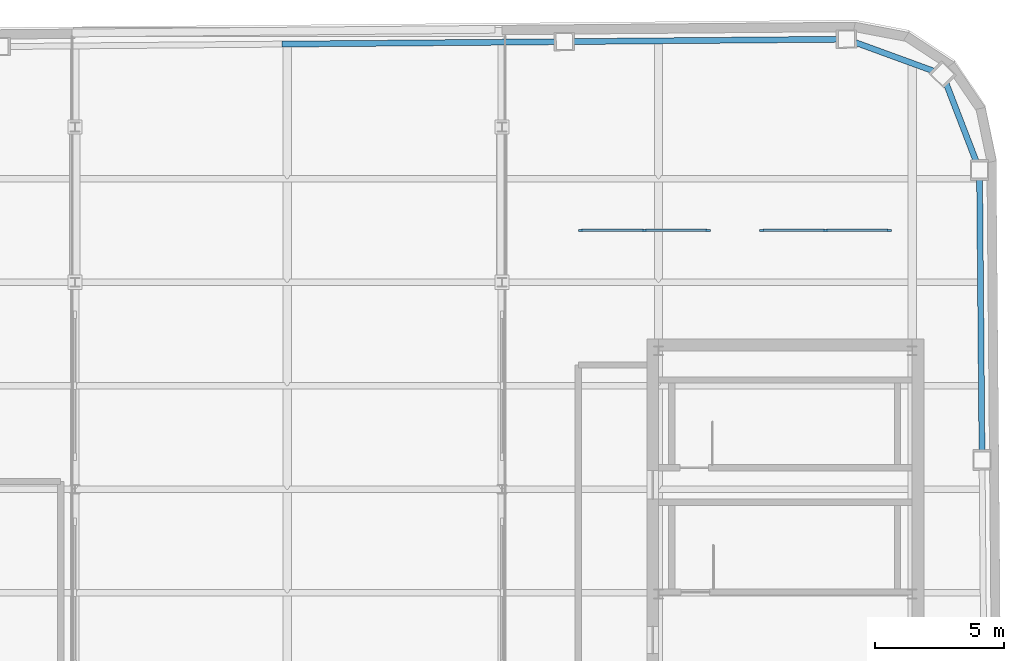
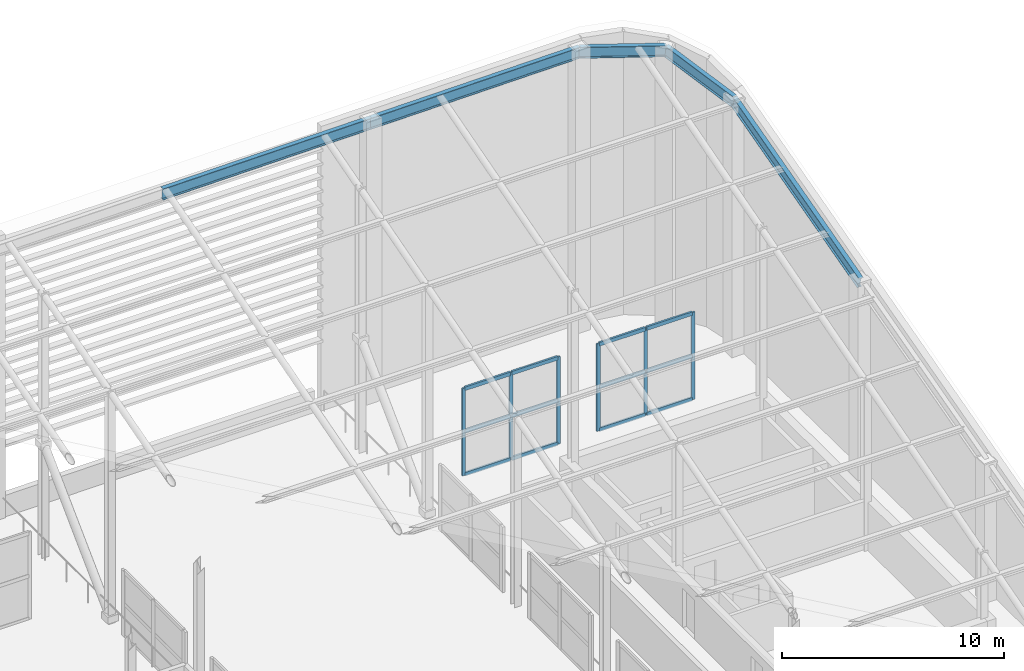
# One storey, part 13 of 17: 18 members, 5 beams, 2 elements without a shape of their own.
"""IFC4 building model written with IfcOpenShell, lengths in metres."""

from ifc_helpers import new_model, si_unit, direction, frame, origin, origin_2d, place, context, subcontext, project, spatial, rectangle, i_section, extrude, material, material_profile, profile_set, type_object, element, aggregate, save


model = new_model("IFC4")

# Units and contexts
model_context = context("Model", 3, precision=1e-05, world=origin(), true_north=direction((0.0, 1.0)))
body_context = subcontext(model_context, "Body", "Model", "MODEL_VIEW")
ifc_project = project(units=[si_unit("LENGTHUNIT", "METRE"), si_unit("AREAUNIT", "SQUARE_METRE"), si_unit("VOLUMEUNIT", "CUBIC_METRE"), si_unit("PLANEANGLEUNIT", "RADIAN"), si_unit("MASSUNIT", "GRAM", prefix="KILO")], contexts=[model_context])

# Site, building, storey
site_placement = place(None, origin())
site = spatial("IfcSite", under=ifc_project, at=site_placement, CompositionType="ELEMENT")
building_placement = place(site_placement, origin())
building = spatial("IfcBuilding", under=site, at=building_placement, Name="Kolvaren Arena Tower", CompositionType="ELEMENT")
storey_placement = place(building_placement, frame((0.0, 0.0, 322.0)))
storey = spatial("IfcBuildingStorey", under=building, at=storey_placement, Name="Roof Crown", CompositionType="ELEMENT", Elevation=322.0)

# Curtain wall, members
ifc_material_1 = material(Name="Anodised aluminium unitised curtain wall", Category="aluminium")
curtain_wall_type = type_object("IfcCurtainWallType", Name="CW-SYS-07", PredefinedType="USERDEFINED", material=ifc_material_1)
curtain_wall_1_placement = place(storey_placement, origin())
curtain_wall_1 = element("IfcCurtainWall", 1, at=curtain_wall_1_placement, inside=storey, type_object=curtain_wall_type, Name="Crown Clerestory Curtain Wall (Roof Crown)", ObjectType="UNITISED CURTAIN WALL", PredefinedType="USERDEFINED")
ifc_material_2 = material(Name="Anodised aluminium 6063-T6", Category="aluminium")
ifc_material_profile_1 = material_profile(ifc_material_2, rectangle(XDim=0.080078125, YDim=0.179931640625, at=origin_2d()), Name="ALU-80x180")
ifc_profile_set_1 = profile_set([ifc_material_profile_1], Name="Anodised aluminium 6063-T6")
member_type_1 = type_object("IfcMemberType", Name="CWM-STD", PredefinedType="MULLION", material=ifc_profile_set_1)
member_1_placement = place(storey_placement, frame((47.5400390625, 44.0, 0.0), z_axis=(0.0, 0.0, 1.0), x_axis=(0.0, 1.0, 0.0)))
member_1 = element("IfcMember", 2, at=member_1_placement, type_object=member_type_1, Name="CW7 mullion 1", PredefinedType="MULLION", context=body_context, shape_type="SweptSolid", body=[
    extrude(rectangle(XDim=0.080078125, YDim=0.179931640625, at=origin_2d()), origin(), (0.0, 0.0, 1.0), 4.800048828125),
])
member_2_placement = place(storey_placement, frame((50.0, 44.0, 0.0), z_axis=(0.0, 0.0, 1.0), x_axis=(0.0, 1.0, 0.0)))
member_2 = element("IfcMember", 3, at=member_2_placement, type_object=member_type_1, Name="CW7 mullion 2", PredefinedType="MULLION", context=body_context, shape_type="SweptSolid", body=[
    extrude(rectangle(XDim=0.080078125, YDim=0.179931640625, at=origin_2d()), origin(), (0.0, 0.0, 1.0), 4.800048828125),
])
member_3_placement = place(storey_placement, frame((52.4599609375, 44.0, 0.0), z_axis=(0.0, 0.0, 1.0), x_axis=(0.0, 1.0, 0.0)))
member_3 = element("IfcMember", 4, at=member_3_placement, type_object=member_type_1, Name="CW7 mullion 3", PredefinedType="MULLION", context=body_context, shape_type="SweptSolid", body=[
    extrude(rectangle(XDim=0.080078125, YDim=0.179931640625, at=origin_2d()), origin(), (0.0, 0.0, 1.0), 4.800048828125),
])

curtain_wall_2_placement = place(storey_placement, origin())
curtain_wall_2 = element("IfcCurtainWall", 5, at=curtain_wall_2_placement, inside=storey, type_object=curtain_wall_type, Name="Crown Clerestory Curtain Wall (Roof Crown)", ObjectType="UNITISED CURTAIN WALL", PredefinedType="USERDEFINED")
member_4_placement = place(storey_placement, frame((54.5400390625, 44.0, 0.0), z_axis=(0.0, 0.0, 1.0), x_axis=(0.0, 1.0, 0.0)))
member_4 = element("IfcMember", 6, at=member_4_placement, type_object=member_type_1, Name="CW7 mullion 1", PredefinedType="MULLION", context=body_context, shape_type="SweptSolid", body=[
    extrude(rectangle(XDim=0.080078125, YDim=0.179931640625, at=origin_2d()), origin(), (0.0, 0.0, 1.0), 4.800048828125),
])
member_5_placement = place(storey_placement, frame((57.0, 44.0, 0.0), z_axis=(0.0, 0.0, 1.0), x_axis=(0.0, 1.0, 0.0)))
member_5 = element("IfcMember", 7, at=member_5_placement, type_object=member_type_1, Name="CW7 mullion 2", PredefinedType="MULLION", context=body_context, shape_type="SweptSolid", body=[
    extrude(rectangle(XDim=0.080078125, YDim=0.179931640625, at=origin_2d()), origin(), (0.0, 0.0, 1.0), 4.800048828125),
])
member_6_placement = place(storey_placement, frame((59.4599609375, 44.0, 0.0), z_axis=(0.0, 0.0, 1.0), x_axis=(0.0, 1.0, 0.0)))
member_6 = element("IfcMember", 8, at=member_6_placement, type_object=member_type_1, Name="CW7 mullion 3", PredefinedType="MULLION", context=body_context, shape_type="SweptSolid", body=[
    extrude(rectangle(XDim=0.080078125, YDim=0.179931640625, at=origin_2d()), origin(), (0.0, 0.0, 1.0), 4.800048828125),
])

# Member
ifc_material_profile_2 = material_profile(ifc_material_2, rectangle(XDim=0.10009765625, YDim=0.199951171875, at=origin_2d()), Name="ALU-100x200")
ifc_profile_set_2 = profile_set([ifc_material_profile_2], Name="Anodised aluminium 6063-T6")
member_type_2 = type_object("IfcMemberType", Name="CWT-HVY", PredefinedType="USERDEFINED", material=ifc_profile_set_2)
member_7_placement = place(storey_placement, frame((47.580078125, 44.0, 0.050048828125), z_axis=(1.0, 0.0, 0.0), x_axis=(0.0, 1.0, 0.0)))
member_7 = element("IfcMember", 9, at=member_7_placement, type_object=member_type_2, Name="CW7 transom 1.1", ObjectType="TRANSOM", PredefinedType="USERDEFINED", context=body_context, shape_type="SweptSolid", body=[
    extrude(rectangle(XDim=0.10009765625, YDim=0.199951171875, at=origin_2d()), origin(), (0.0, 0.0, 1.0), 2.3798828125),
])

member_8_placement = place(storey_placement, frame((47.580078125, 44.0, 2.39990234375), z_axis=(1.0, 0.0, 0.0), x_axis=(0.0, 1.0, 0.0)))
member_8 = element("IfcMember", 10, at=member_8_placement, type_object=member_type_2, Name="CW7 transom 1.2", ObjectType="TRANSOM", PredefinedType="USERDEFINED", context=body_context, shape_type="SweptSolid", body=[
    extrude(rectangle(XDim=0.10009765625, YDim=0.199951171875, at=origin_2d()), origin(), (0.0, 0.0, 1.0), 2.3798828125),
])

member_9_placement = place(storey_placement, frame((47.580078125, 44.0, 4.75), z_axis=(1.0, 0.0, 0.0), x_axis=(0.0, 1.0, 0.0)))
member_9 = element("IfcMember", 11, at=member_9_placement, type_object=member_type_2, Name="CW7 transom 1.3", ObjectType="TRANSOM", PredefinedType="USERDEFINED", context=body_context, shape_type="SweptSolid", body=[
    extrude(rectangle(XDim=0.10009765625, YDim=0.199951171875, at=origin_2d()), origin(), (0.0, 0.0, 1.0), 2.3798828125),
])

member_10_placement = place(storey_placement, frame((50.0400390625, 44.0, 0.050048828125), z_axis=(1.0, 0.0, 0.0), x_axis=(0.0, 1.0, 0.0)))
member_10 = element("IfcMember", 12, at=member_10_placement, type_object=member_type_2, Name="CW7 transom 2.1", ObjectType="TRANSOM", PredefinedType="USERDEFINED", context=body_context, shape_type="SweptSolid", body=[
    extrude(rectangle(XDim=0.10009765625, YDim=0.199951171875, at=origin_2d()), origin(), (0.0, 0.0, 1.0), 2.3798828125),
])

member_11_placement = place(storey_placement, frame((50.0400390625, 44.0, 2.39990234375), z_axis=(1.0, 0.0, 0.0), x_axis=(0.0, 1.0, 0.0)))
member_11 = element("IfcMember", 13, at=member_11_placement, type_object=member_type_2, Name="CW7 transom 2.2", ObjectType="TRANSOM", PredefinedType="USERDEFINED", context=body_context, shape_type="SweptSolid", body=[
    extrude(rectangle(XDim=0.10009765625, YDim=0.199951171875, at=origin_2d()), origin(), (0.0, 0.0, 1.0), 2.3798828125),
])

member_12_placement = place(storey_placement, frame((50.0400390625, 44.0, 4.75), z_axis=(1.0, 0.0, 0.0), x_axis=(0.0, 1.0, 0.0)))
member_12 = element("IfcMember", 14, at=member_12_placement, type_object=member_type_2, Name="CW7 transom 2.3", ObjectType="TRANSOM", PredefinedType="USERDEFINED", context=body_context, shape_type="SweptSolid", body=[
    extrude(rectangle(XDim=0.10009765625, YDim=0.199951171875, at=origin_2d()), origin(), (0.0, 0.0, 1.0), 2.3798828125),
])

aggregate(curtain_wall_1, [member_1, member_2, member_3, member_7, member_8, member_9, member_10, member_11, member_12])

member_13_placement = place(storey_placement, frame((54.580078125, 44.0, 0.050048828125), z_axis=(1.0, 0.0, 0.0), x_axis=(0.0, 1.0, 0.0)))
member_13 = element("IfcMember", 15, at=member_13_placement, type_object=member_type_2, Name="CW7 transom 1.1", ObjectType="TRANSOM", PredefinedType="USERDEFINED", context=body_context, shape_type="SweptSolid", body=[
    extrude(rectangle(XDim=0.10009765625, YDim=0.199951171875, at=origin_2d()), origin(), (0.0, 0.0, 1.0), 2.3798828125),
])

member_14_placement = place(storey_placement, frame((54.580078125, 44.0, 2.39990234375), z_axis=(1.0, 0.0, 0.0), x_axis=(0.0, 1.0, 0.0)))
member_14 = element("IfcMember", 16, at=member_14_placement, type_object=member_type_2, Name="CW7 transom 1.2", ObjectType="TRANSOM", PredefinedType="USERDEFINED", context=body_context, shape_type="SweptSolid", body=[
    extrude(rectangle(XDim=0.10009765625, YDim=0.199951171875, at=origin_2d()), origin(), (0.0, 0.0, 1.0), 2.3798828125),
])

member_15_placement = place(storey_placement, frame((54.580078125, 44.0, 4.75), z_axis=(1.0, 0.0, 0.0), x_axis=(0.0, 1.0, 0.0)))
member_15 = element("IfcMember", 17, at=member_15_placement, type_object=member_type_2, Name="CW7 transom 1.3", ObjectType="TRANSOM", PredefinedType="USERDEFINED", context=body_context, shape_type="SweptSolid", body=[
    extrude(rectangle(XDim=0.10009765625, YDim=0.199951171875, at=origin_2d()), origin(), (0.0, 0.0, 1.0), 2.3798828125),
])

member_16_placement = place(storey_placement, frame((57.0400390625, 44.0, 0.050048828125), z_axis=(1.0, 0.0, 0.0), x_axis=(0.0, 1.0, 0.0)))
member_16 = element("IfcMember", 18, at=member_16_placement, type_object=member_type_2, Name="CW7 transom 2.1", ObjectType="TRANSOM", PredefinedType="USERDEFINED", context=body_context, shape_type="SweptSolid", body=[
    extrude(rectangle(XDim=0.10009765625, YDim=0.199951171875, at=origin_2d()), origin(), (0.0, 0.0, 1.0), 2.3798828125),
])

member_17_placement = place(storey_placement, frame((57.0400390625, 44.0, 2.39990234375), z_axis=(1.0, 0.0, 0.0), x_axis=(0.0, 1.0, 0.0)))
member_17 = element("IfcMember", 19, at=member_17_placement, type_object=member_type_2, Name="CW7 transom 2.2", ObjectType="TRANSOM", PredefinedType="USERDEFINED", context=body_context, shape_type="SweptSolid", body=[
    extrude(rectangle(XDim=0.10009765625, YDim=0.199951171875, at=origin_2d()), origin(), (0.0, 0.0, 1.0), 2.3798828125),
])

member_18_placement = place(storey_placement, frame((57.0400390625, 44.0, 4.75), z_axis=(1.0, 0.0, 0.0), x_axis=(0.0, 1.0, 0.0)))
member_18 = element("IfcMember", 20, at=member_18_placement, type_object=member_type_2, Name="CW7 transom 2.3", ObjectType="TRANSOM", PredefinedType="USERDEFINED", context=body_context, shape_type="SweptSolid", body=[
    extrude(rectangle(XDim=0.10009765625, YDim=0.199951171875, at=origin_2d()), origin(), (0.0, 0.0, 1.0), 2.3798828125),
])

aggregate(curtain_wall_2, [member_4, member_5, member_6, member_13, member_14, member_15, member_16, member_17, member_18])

# Beams
ifc_material_3 = material(Name="Steel CSA G40.21 350W", Category="steel")
ifc_material_profile_3 = material_profile(ifc_material_3, i_section(OverallWidth=0.22802734375, OverallDepth=0.615966796875, WebThickness=0.013916015625, FlangeThickness=0.02490234375, FilletRadius=0.014892578125, at=origin_2d()), Name="W610x174")
ifc_profile_set_3 = profile_set([ifc_material_profile_3], Name="Steel CSA G40.21 350W")
beam_type = type_object("IfcBeamType", Name="GIRD-T3", PredefinedType="BEAM", material=ifc_profile_set_3)
beam_1_placement = place(storey_placement, frame((63.050048828125, 35.134521484375, 10.52685546875), z_axis=(-0.008378291162, 0.96084337618, 0.276965360086), x_axis=(-0.999961985355, -0.008719394723, 0.0)))
element("IfcBeam", 21, at=beam_1_placement, inside=storey, type_object=beam_type, Name="Sloped Crown Roof Perimeter Ring Beam 09", PredefinedType="BEAM", context=body_context, shape_type="SweptSolid", body=[
    extrude(i_section(OverallWidth=0.22802734375, OverallDepth=0.615966796875, WebThickness=0.013916015625, FlangeThickness=0.02490234375, FilletRadius=0.014892578125, at=origin_2d()), origin(), (0.0, 0.0, 1.0), 11.65576171875),
])
beam_2_placement = place(storey_placement, frame((62.952392578125, 46.333984375, 13.755126953125), z_axis=(-0.347049558388, 0.901162298672, 0.259736627132), x_axis=(-0.933189846698, -0.359383792094, 0.0)))
element("IfcBeam", 22, at=beam_2_placement, inside=storey, type_object=beam_type, Name="Sloped Crown Roof Perimeter Ring Beam 10", PredefinedType="BEAM", context=body_context, shape_type="SweptSolid", body=[
    extrude(i_section(OverallWidth=0.22802734375, OverallDepth=0.615966796875, WebThickness=0.013916015625, FlangeThickness=0.02490234375, FilletRadius=0.014892578125, at=origin_2d()), origin(), (0.0, 0.0, 1.0), 4.10205078125),
])
beam_3_placement = place(storey_placement, frame((61.52880859375, 50.030517578125, 14.820556640625), z_axis=(-0.934756897825, 0.341394809271, 0.098382550139), x_axis=(-0.343059102458, -0.939313819882, 0.0)))
element("IfcBeam", 23, at=beam_3_placement, inside=storey, type_object=beam_type, Name="Sloped Crown Roof Perimeter Ring Beam 11", PredefinedType="BEAM", context=body_context, shape_type="SweptSolid", body=[
    extrude(i_section(OverallWidth=0.22802734375, OverallDepth=0.615966796875, WebThickness=0.013916015625, FlangeThickness=0.02490234375, FilletRadius=0.014892578125, at=origin_2d()), origin(), (0.0, 0.0, 1.0), 3.98046875),
])
for number, where, z_axis, x_axis, name in (
    (24, (57.80810546875, 51.389404296875, 15.212158203125), (-0.999958700637, -0.008735219918, -0.002508575977), (0.008735247404, -0.999961846999, 0.0), "Sloped Crown Roof Perimeter Ring Beam 12"),
    (25, (46.908447265625, 51.294189453125, 15.184814453125), (-0.99995889603, -0.008712823621, -0.002508576467), (0.008712851036, -0.999962042393, 0.0), "Sloped Crown Roof Perimeter Ring Beam 13"),
):
    element("IfcBeam", number, at=place(storey_placement, frame(where, z_axis=z_axis, x_axis=x_axis)), inside=storey, type_object=beam_type, Name=name, PredefinedType="BEAM", context=body_context, shape_type="SweptSolid", body=[
        extrude(i_section(OverallWidth=0.22802734375, OverallDepth=0.615966796875, WebThickness=0.013916015625, FlangeThickness=0.02490234375, FilletRadius=0.014892578125, at=origin_2d()), origin(), (0.0, 0.0, 1.0), 10.900146484375),
    ])

save(model, "model.ifc")
